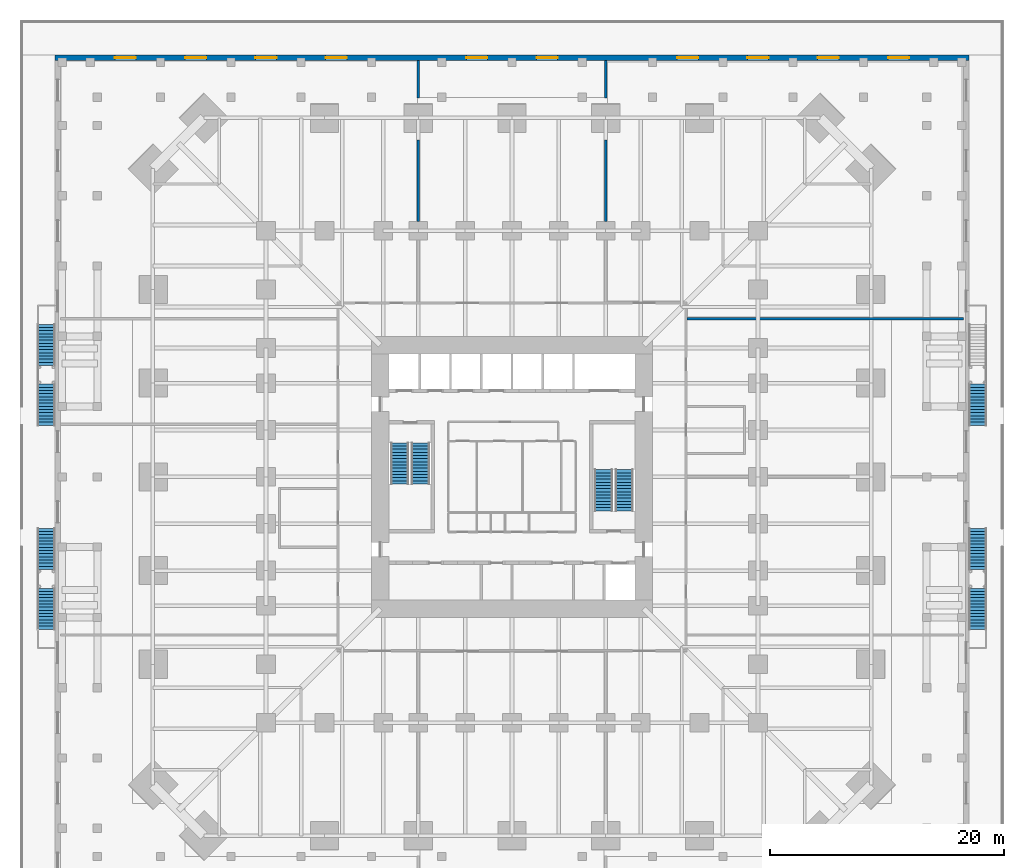
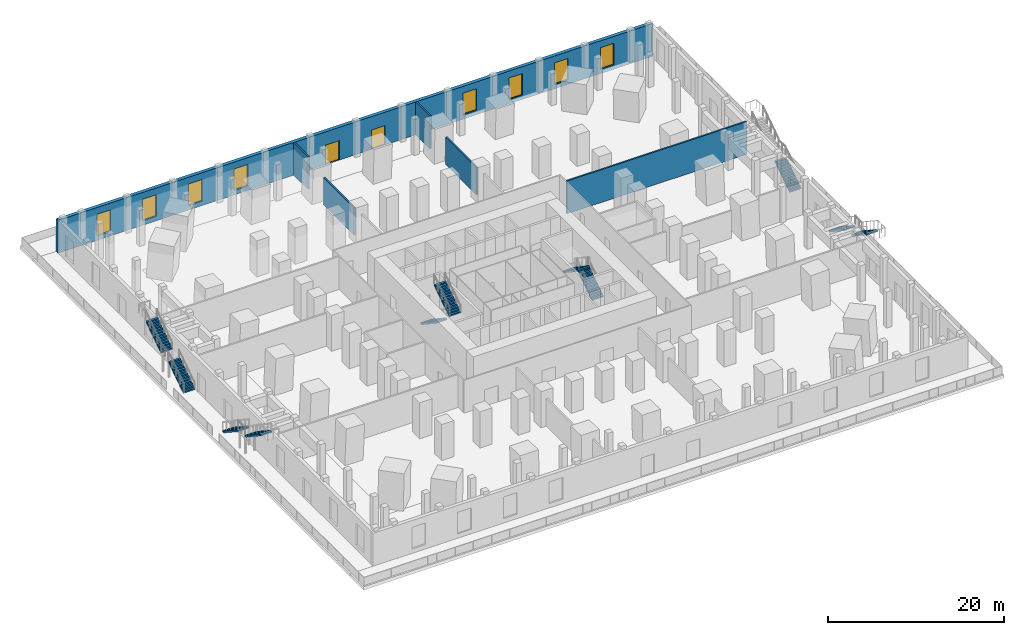
# One storey, part 15 of 22: 11 stair flights, 8 windows, 6 walls, 2 doors, 10 openings, 6 elements without a shape of their own.
"""IFC4 building model written with IfcOpenShell, lengths in metres."""

import ifcopenshell
import ifcopenshell.guid

model = None  # the IFC model being written
_history = None  # IfcOwnerHistory: only IFC2X3 demands one
_inside = {}  # id of a spatial element -> (the spatial element, [elements in it])
_under = {}  # id of a project, library or spatial element -> (it, [spatial elements below it])
_declared = {}  # id of a project -> (the project, [libraries it declares])
_typed = {}  # id of a type object -> (the type object, [elements of that type])
_made_of = {}  # id of a material, layer set ... -> (it, [elements and type objects made of it])


def new_model(schema):
    """Start an empty IFC model of exactly this schema.

    Asked for "IFC4X3", IfcOpenShell would pick the latest addendum, in which some entities
    have other attributes; the version numbers below select the first issue.
    IFC2X3 requires an IfcOwnerHistory on every rooted entity: one is made here for all.
    """
    global model, _history
    if schema == "IFC4X3":
        model = ifcopenshell.file(schema_version=(4, 3, 0, 0))
    else:
        model = ifcopenshell.file(schema=schema)
    _inside.clear()
    _under.clear()
    _declared.clear()
    _typed.clear()
    _made_of.clear()
    _history = None
    if model.schema == "IFC2X3":
        org = make("IfcOrganization", Name="unknown")
        user = make(
            "IfcPersonAndOrganization",
            ThePerson=make("IfcPerson", FamilyName="unknown"),
            TheOrganization=org,
        )
        app = make(
            "IfcApplication",
            ApplicationDeveloper=org,
            Version="unknown",
            ApplicationFullName="unknown",
            ApplicationIdentifier="unknown",
        )
        _history = make(
            "IfcOwnerHistory",
            OwningUser=user,
            OwningApplication=app,
            ChangeAction="ADDED",
            CreationDate=0,
        )
    return model


def make(cls, **values):
    """One entity of the class cls with the attributes given. An attribute that is None is left unset."""
    return model.create_entity(
        cls, **{name: value for name, value in values.items() if value is not None}
    )


def rooted(cls, **values):
    """An entity with a GlobalId (a new one), such as an element, a storey or a relation."""
    return make(cls, GlobalId=ifcopenshell.guid.new(), OwnerHistory=_history, **values)


def si_unit(unit_type, name, prefix=None):
    """IfcSIUnit, for example si_unit("LENGTHUNIT", "METRE", prefix="MILLI")."""
    return make("IfcSIUnit", UnitType=unit_type, Prefix=prefix, Name=name)


def assignment(units):
    """IfcUnitAssignment: the units of a project."""
    return None if units is None else make("IfcUnitAssignment", Units=units)


def point(xyz):
    """IfcCartesianPoint."""
    return None if xyz is None else make("IfcCartesianPoint", Coordinates=xyz)


def direction(xyz):
    """IfcDirection."""
    return None if xyz is None else make("IfcDirection", DirectionRatios=xyz)


def frame(location, z_axis=None, x_axis=None):
    """IfcAxis2Placement3D, a coordinate frame: its origin and axes. An axis left out is left unset."""
    return make(
        "IfcAxis2Placement3D",
        Location=point(location),
        Axis=direction(z_axis),
        RefDirection=direction(x_axis),
    )


def frame_2d(location, x_axis=None):
    """IfcAxis2Placement2D, a coordinate frame in the plane: its origin and x axis."""
    return make(
        "IfcAxis2Placement2D", Location=point(location), RefDirection=direction(x_axis)
    )


def origin():
    """The frame at (0, 0, 0) with its axes left unset."""
    return frame((0.0, 0.0, 0.0))


def place(relative_to, where):
    """IfcLocalPlacement: puts the frame where relative to a parent placement (None: the world)."""
    return make(
        "IfcLocalPlacement", PlacementRelTo=relative_to, RelativePlacement=where
    )


def context(
    kind, dimensions, precision=None, world=None, true_north=None, identifier=None
):
    """IfcGeometricRepresentationContext, for example the 3D "Model" context."""
    return make(
        "IfcGeometricRepresentationContext",
        ContextIdentifier=identifier,
        ContextType=kind,
        CoordinateSpaceDimension=dimensions,
        Precision=precision,
        WorldCoordinateSystem=world,
        TrueNorth=true_north,
    )


def subcontext(parent, identifier, kind, view, scale=None):
    """IfcGeometricRepresentationSubContext, for example "Body" below "Model"."""
    return make(
        "IfcGeometricRepresentationSubContext",
        ContextIdentifier=identifier,
        ContextType=kind,
        ParentContext=parent,
        TargetScale=scale,
        TargetView=view,
    )


def project(units=None, contexts=None):
    """IfcProject with its units and contexts."""
    return rooted(
        "IfcProject",
        Name="project",
        RepresentationContexts=contexts,
        UnitsInContext=assignment(units),
    )


def spatial(cls, under=None, at=None, **own):
    """A site, building, storey or space (cls), placed at a placement, below another one or the project."""
    s = rooted(cls, ObjectPlacement=at, **own)
    if under is not None:
        _under.setdefault(under.id(), (under, []))[1].append(s)
    return s


def polyline(points):
    """IfcPolyline through the points."""
    return make("IfcPolyline", Points=[point(p) for p in points])


def profile(cls, at=None, kind="AREA", **sizes):
    """A parametric profile (cls). Its sizes go by their IFC names, for example OverallWidth=200.0."""
    return make(cls, ProfileType=kind, Position=at, **sizes)


def rectangle(**sizes):
    """IfcRectangleProfileDef."""
    return profile("IfcRectangleProfileDef", **sizes)


def outline(outer, holes=None, kind="AREA"):
    """IfcArbitraryClosedProfileDef: a profile drawn as a closed curve; with holes, ...WithVoids."""
    if holes is None:
        return make("IfcArbitraryClosedProfileDef", ProfileType=kind, OuterCurve=outer)
    return make(
        "IfcArbitraryProfileDefWithVoids",
        ProfileType=kind,
        OuterCurve=outer,
        InnerCurves=holes,
    )


def extrude(swept, where, along, depth):
    """IfcExtrudedAreaSolid: the profile swept, set in the frame where, extruded along a direction by depth."""
    return make(
        "IfcExtrudedAreaSolid",
        SweptArea=swept,
        Position=where,
        ExtrudedDirection=direction(along),
        Depth=depth,
    )


def shape(context_of_items, identifier, shape_type, items):
    """IfcShapeRepresentation: the items that make up one representation, for example the "Body"."""
    return make(
        "IfcShapeRepresentation",
        ContextOfItems=context_of_items,
        RepresentationIdentifier=identifier,
        RepresentationType=shape_type,
        Items=items,
    )


def material(Name=None, Category=None):
    """IfcMaterial."""
    return make("IfcMaterial", Name=Name, Category=Category)


def layer(
    of_material, thickness, ventilated=None, Name=None, Category=None, Priority=None
):
    """IfcMaterialLayer: one layer of a wall or slab, of a material (None: an air gap)."""
    return make(
        "IfcMaterialLayer",
        Material=of_material,
        LayerThickness=thickness,
        IsVentilated=ventilated,
        Name=Name,
        Category=Category,
        Priority=Priority,
    )


def layer_set(layers, Name=None):
    """IfcMaterialLayerSet."""
    return make("IfcMaterialLayerSet", MaterialLayers=layers, LayerSetName=Name)


def made_of(thing, what):
    """Note that an element or type object is made of a material, layer set ...; save() writes the relation."""
    if what is not None:
        _made_of.setdefault(what.id(), (what, []))[1].append(thing)
    return thing


def type_object(cls, material=None, **own):
    """A type object (cls), such as IfcWallType, which elements share."""
    return made_of(rooted(cls, **own), material)


def element(
    cls,
    number,
    at=None,
    inside=None,
    cuts=None,
    type_object=None,
    material=None,
    context=None,
    identifier="Body",
    shape_type=None,
    held_by="IfcProductDefinitionShape",
    body=None,
    shapes=None,
    **own,
):
    """One element of the class cls, such as IfcWall. Its Tag is "e" and its number.

    at: its placement. inside: the storey or other place that contains it. cuts: it is an
    opening in that element (IfcRelVoidsElement). A single representation is given by context,
    identifier, shape_type and body (its items); several are given by shapes. held_by: the class
    of the entity that holds the representations. save() writes the other relations.
    """
    e = rooted(cls, Tag="e%d" % number, ObjectPlacement=at, **own)
    if body is not None:
        shapes = [shape(context, identifier, shape_type, body)]
    if shapes is not None:
        e.Representation = make(held_by, Representations=shapes)
    if inside is not None:
        _inside.setdefault(inside.id(), (inside, []))[1].append(e)
    if cuts is not None:
        rooted(
            "IfcRelVoidsElement", RelatingBuildingElement=cuts, RelatedOpeningElement=e
        )
    if type_object is not None:
        _typed.setdefault(type_object.id(), (type_object, []))[1].append(e)
    return made_of(e, material)


def fill(opening, filler):
    """IfcRelFillsElement: the door or window that sits in an opening."""
    return rooted(
        "IfcRelFillsElement",
        RelatingOpeningElement=opening,
        RelatedBuildingElement=filler,
    )


def aggregate(whole, parts):
    """IfcRelAggregates: a whole, such as a stair, and the parts it consists of."""
    return rooted("IfcRelAggregates", RelatingObject=whole, RelatedObjects=parts)


def save(model, path):
    """Write the relations noted so far, then the file.

    IfcRelAggregates (storeys below a building ...), IfcRelContainedInSpatialStructure (elements
    in a storey), IfcRelDefinesByType, IfcRelAssociatesMaterial and IfcRelDeclares: one each for
    every whole, place, type object, material and project.
    """
    for whole, parts in _under.values():
        aggregate(whole, parts)
    for where, things in _inside.values():
        rooted(
            "IfcRelContainedInSpatialStructure",
            RelatedElements=things,
            RelatingStructure=where,
        )
    for kind, things in _typed.values():
        rooted("IfcRelDefinesByType", RelatedObjects=things, RelatingType=kind)
    for what, things in _made_of.values():
        rooted("IfcRelAssociatesMaterial", RelatedObjects=things, RelatingMaterial=what)
    for by, libraries in _declared.values():
        rooted("IfcRelDeclares", RelatingContext=by, RelatedDefinitions=libraries)
    model.write(path)


model = new_model("IFC4")

# Units and contexts
model_context = context("Model", 3, precision=1e-05, world=origin(), true_north=direction((0.0, 1.0)))
body_context = subcontext(model_context, "Body", "Model", "MODEL_VIEW")
ifc_project = project(units=[si_unit("LENGTHUNIT", "METRE"), si_unit("AREAUNIT", "SQUARE_METRE"), si_unit("VOLUMEUNIT", "CUBIC_METRE"), si_unit("PLANEANGLEUNIT", "RADIAN"), si_unit("MASSUNIT", "GRAM", prefix="KILO")], contexts=[model_context])

# Site, building, storey
site_placement = place(None, origin())
site = spatial("IfcSite", under=ifc_project, at=site_placement, CompositionType="ELEMENT")
building_placement = place(site_placement, origin())
building = spatial("IfcBuilding", under=site, at=building_placement, Name="Peilmerk Tower", CompositionType="ELEMENT")
storey_placement = place(building_placement, frame((0.0, 0.0, 6.0)))
storey = spatial("IfcBuildingStorey", under=building, at=storey_placement, Name="L01", CompositionType="ELEMENT", Elevation=6.0)

# Wall, openings, doors, windows
ifc_material_1 = material(Name="Precast concrete C45/55, board-marked finish", Category="concrete")
ifc_layer_1 = layer(ifc_material_1, 0.449951171875)
ifc_layer_set_1 = layer_set([ifc_layer_1], Name="Precast concrete C45/55, board-marked finish")
wall_type_1 = type_object("IfcWallType", Name="EW1 450 precast concrete facade wall, board-marked", PredefinedType="SOLIDWALL", material=ifc_layer_set_1)
wall_1_placement = place(storey_placement, frame((-39.0, 35.77490234375, 0.0), z_axis=(0.0, 0.0, 1.0), x_axis=(1.0, 0.0, 0.0)))
wall_1 = element("IfcWall", 1, at=wall_1_placement, inside=storey, type_object=wall_type_1, Name="Facade wall N L01", PredefinedType="SOLIDWALL", context=body_context, shape_type="SweptSolid", body=[
    extrude(rectangle(XDim=78.0, YDim=0.449951171875, at=frame_2d((39.0, 0.0))), origin(), (0.0, 0.0, 1.0), 4.550048828125),
])
opening_1_placement = place(wall_1_placement, frame((5.10009765625, 0.0, 0.60009765625)))
opening_1 = element("IfcOpeningElement", 2, at=opening_1_placement, cuts=wall_1, Name="Opening W7", PredefinedType="OPENING", context=body_context, shape_type="SweptSolid", body=[
    extrude(rectangle(XDim=1.800048828125, YDim=3.0, at=frame_2d((0.89990234375, 1.5))), frame((0.0, 0.23486328125, 0.0), z_axis=(0.0, -1.0, 0.0), x_axis=(1.0, 0.0, 0.0)), (0.0, 0.0, 1.0), 0.469970703125),
])
opening_2_placement = place(wall_1_placement, frame((11.10009765625, 0.0, 0.60009765625)))
opening_2 = element("IfcOpeningElement", 3, at=opening_2_placement, cuts=wall_1, Name="Opening W7", PredefinedType="OPENING", context=body_context, shape_type="SweptSolid", body=[
    extrude(rectangle(XDim=1.800048828125, YDim=3.0, at=frame_2d((0.89990234375, 1.5))), frame((0.0, 0.23486328125, 0.0), z_axis=(0.0, -1.0, 0.0), x_axis=(1.0, 0.0, 0.0)), (0.0, 0.0, 1.0), 0.469970703125),
])
opening_3_placement = place(wall_1_placement, frame((17.10009765625, 0.0, 0.60009765625)))
opening_3 = element("IfcOpeningElement", 4, at=opening_3_placement, cuts=wall_1, Name="Opening W7", PredefinedType="OPENING", context=body_context, shape_type="SweptSolid", body=[
    extrude(rectangle(XDim=1.800048828125, YDim=3.0, at=frame_2d((0.89990234375, 1.5))), frame((0.0, 0.23486328125, 0.0), z_axis=(0.0, -1.0, 0.0), x_axis=(1.0, 0.0, 0.0)), (0.0, 0.0, 1.0), 0.469970703125),
])
opening_4_placement = place(wall_1_placement, frame((23.10009765625, 0.0, 0.60009765625)))
opening_4 = element("IfcOpeningElement", 5, at=opening_4_placement, cuts=wall_1, Name="Opening W7", PredefinedType="OPENING", context=body_context, shape_type="SweptSolid", body=[
    extrude(rectangle(XDim=1.800048828125, YDim=3.0, at=frame_2d((0.89990234375, 1.5))), frame((0.0, 0.23486328125, 0.0), z_axis=(0.0, -1.0, 0.0), x_axis=(1.0, 0.0, 0.0)), (0.0, 0.0, 1.0), 0.469970703125),
])
opening_5_placement = place(wall_1_placement, frame((53.10009765625, 0.0, 0.60009765625)))
opening_5 = element("IfcOpeningElement", 6, at=opening_5_placement, cuts=wall_1, Name="Opening W7", PredefinedType="OPENING", context=body_context, shape_type="SweptSolid", body=[
    extrude(rectangle(XDim=1.800048828125, YDim=3.0, at=frame_2d((0.89990234375, 1.5))), frame((0.0, 0.23486328125, 0.0), z_axis=(0.0, -1.0, 0.0), x_axis=(1.0, 0.0, 0.0)), (0.0, 0.0, 1.0), 0.469970703125),
])
opening_6_placement = place(wall_1_placement, frame((59.10009765625, 0.0, 0.60009765625)))
opening_6 = element("IfcOpeningElement", 7, at=opening_6_placement, cuts=wall_1, Name="Opening W7", PredefinedType="OPENING", context=body_context, shape_type="SweptSolid", body=[
    extrude(rectangle(XDim=1.800048828125, YDim=3.0, at=frame_2d((0.89990234375, 1.5))), frame((0.0, 0.23486328125, 0.0), z_axis=(0.0, -1.0, 0.0), x_axis=(1.0, 0.0, 0.0)), (0.0, 0.0, 1.0), 0.469970703125),
])
opening_7_placement = place(wall_1_placement, frame((65.10009765625, 0.0, 0.60009765625)))
opening_7 = element("IfcOpeningElement", 8, at=opening_7_placement, cuts=wall_1, Name="Opening W7", PredefinedType="OPENING", context=body_context, shape_type="SweptSolid", body=[
    extrude(rectangle(XDim=1.800048828125, YDim=3.0, at=frame_2d((0.89990234375, 1.5))), frame((0.0, 0.23486328125, 0.0), z_axis=(0.0, -1.0, 0.0), x_axis=(1.0, 0.0, 0.0)), (0.0, 0.0, 1.0), 0.469970703125),
])
opening_8_placement = place(wall_1_placement, frame((71.10009765625, 0.0, 0.60009765625)))
opening_8 = element("IfcOpeningElement", 9, at=opening_8_placement, cuts=wall_1, Name="Opening W7", PredefinedType="OPENING", context=body_context, shape_type="SweptSolid", body=[
    extrude(rectangle(XDim=1.800048828125, YDim=3.0, at=frame_2d((0.89990234375, 1.5))), frame((0.0, 0.23486328125, 0.0), z_axis=(0.0, -1.0, 0.0), x_axis=(1.0, 0.0, 0.0)), (0.0, 0.0, 1.0), 0.469970703125),
])
opening_9_placement = place(wall_1_placement, frame((35.10009765625, 0.0, 0.0)))
opening_9 = element("IfcOpeningElement", 10, at=opening_9_placement, cuts=wall_1, Name="Opening ED4", PredefinedType="OPENING", context=body_context, shape_type="SweptSolid", body=[
    extrude(rectangle(XDim=1.800048828125, YDim=2.699951171875, at=frame_2d((0.89990234375, 1.35009765625))), frame((0.0, 0.23486328125, 0.0), z_axis=(0.0, -1.0, 0.0), x_axis=(1.0, 0.0, 0.0)), (0.0, 0.0, 1.0), 0.469970703125),
])
opening_10_placement = place(wall_1_placement, frame((41.10009765625, 0.0, 0.0)))
opening_10 = element("IfcOpeningElement", 11, at=opening_10_placement, cuts=wall_1, Name="Opening ED4", PredefinedType="OPENING", context=body_context, shape_type="SweptSolid", body=[
    extrude(rectangle(XDim=1.800048828125, YDim=2.699951171875, at=frame_2d((0.89990234375, 1.35009765625))), frame((0.0, 0.23486328125, 0.0), z_axis=(0.0, -1.0, 0.0), x_axis=(1.0, 0.0, 0.0)), (0.0, 0.0, 1.0), 0.469970703125),
])
ifc_material_2 = material(Name="Aluminium frame, clear glazing", Category="aluminium")
door_type = type_object("IfcDoorType", Name="ED4 1800x2700 terrace door pair, glazed", OperationType="DOUBLE_DOOR_DOUBLE_SWING", PredefinedType="DOOR", material=ifc_material_2)
door_1_placement = place(opening_9_placement, origin())
door_1 = element("IfcDoor", 12, at=door_1_placement, inside=storey, type_object=door_type, Name="Terrace door pair, glazed L01", OperationType="DOUBLE_DOOR_DOUBLE_SWING", OverallHeight=2.699951171875, OverallWidth=1.800048828125, PredefinedType="DOOR", context=body_context, shape_type="SweptSolid", body=[
    extrude(rectangle(XDim=1.800048828125, YDim=2.699951171875, at=frame_2d((0.89990234375, 1.35009765625))), frame((0.0, 0.02490234375, 0.0), z_axis=(0.0, -1.0, 0.0), x_axis=(1.0, 0.0, 0.0)), (0.0, 0.0, 1.0), 0.050048828125),
])
fill(opening_9, door_1)
door_2_placement = place(opening_10_placement, origin())
door_2 = element("IfcDoor", 13, at=door_2_placement, inside=storey, type_object=door_type, Name="Terrace door pair, glazed L01", OperationType="DOUBLE_DOOR_DOUBLE_SWING", OverallHeight=2.699951171875, OverallWidth=1.800048828125, PredefinedType="DOOR", context=body_context, shape_type="SweptSolid", body=[
    extrude(rectangle(XDim=1.800048828125, YDim=2.699951171875, at=frame_2d((0.89990234375, 1.35009765625))), frame((0.0, 0.02490234375, 0.0), z_axis=(0.0, -1.0, 0.0), x_axis=(1.0, 0.0, 0.0)), (0.0, 0.0, 1.0), 0.050048828125),
])
fill(opening_10, door_2)
ifc_material_3 = material(Name="Aluminium frame, clear double glazing", Category="aluminium")
window_type = type_object("IfcWindowType", Name="W7 1800x3000 podium window", PartitioningType="SINGLE_PANEL", PredefinedType="WINDOW", material=ifc_material_3)
window_1_placement = place(opening_1_placement, origin())
window_1 = element("IfcWindow", 14, at=window_1_placement, inside=storey, type_object=window_type, Name="Window W7 L01", OverallHeight=3.0, OverallWidth=1.800048828125, PartitioningType="SINGLE_PANEL", PredefinedType="WINDOW", context=body_context, shape_type="SweptSolid", body=[
    extrude(rectangle(XDim=1.800048828125, YDim=3.0, at=frame_2d((0.89990234375, 1.5))), frame((0.0, 0.030029296875, 0.0), z_axis=(0.0, -1.0, 0.0), x_axis=(1.0, 0.0, 0.0)), (0.0, 0.0, 1.0), 0.06005859375),
])
fill(opening_1, window_1)
window_2_placement = place(opening_2_placement, origin())
window_2 = element("IfcWindow", 15, at=window_2_placement, inside=storey, type_object=window_type, Name="Window W7 L01", OverallHeight=3.0, OverallWidth=1.800048828125, PartitioningType="SINGLE_PANEL", PredefinedType="WINDOW", context=body_context, shape_type="SweptSolid", body=[
    extrude(rectangle(XDim=1.800048828125, YDim=3.0, at=frame_2d((0.89990234375, 1.5))), frame((0.0, 0.030029296875, 0.0), z_axis=(0.0, -1.0, 0.0), x_axis=(1.0, 0.0, 0.0)), (0.0, 0.0, 1.0), 0.06005859375),
])
fill(opening_2, window_2)
window_3_placement = place(opening_3_placement, origin())
window_3 = element("IfcWindow", 16, at=window_3_placement, inside=storey, type_object=window_type, Name="Window W7 L01", OverallHeight=3.0, OverallWidth=1.800048828125, PartitioningType="SINGLE_PANEL", PredefinedType="WINDOW", context=body_context, shape_type="SweptSolid", body=[
    extrude(rectangle(XDim=1.800048828125, YDim=3.0, at=frame_2d((0.89990234375, 1.5))), frame((0.0, 0.030029296875, 0.0), z_axis=(0.0, -1.0, 0.0), x_axis=(1.0, 0.0, 0.0)), (0.0, 0.0, 1.0), 0.06005859375),
])
fill(opening_3, window_3)
window_4_placement = place(opening_4_placement, origin())
window_4 = element("IfcWindow", 17, at=window_4_placement, inside=storey, type_object=window_type, Name="Window W7 L01", OverallHeight=3.0, OverallWidth=1.800048828125, PartitioningType="SINGLE_PANEL", PredefinedType="WINDOW", context=body_context, shape_type="SweptSolid", body=[
    extrude(rectangle(XDim=1.800048828125, YDim=3.0, at=frame_2d((0.89990234375, 1.5))), frame((0.0, 0.030029296875, 0.0), z_axis=(0.0, -1.0, 0.0), x_axis=(1.0, 0.0, 0.0)), (0.0, 0.0, 1.0), 0.06005859375),
])
fill(opening_4, window_4)
window_5_placement = place(opening_5_placement, origin())
window_5 = element("IfcWindow", 18, at=window_5_placement, inside=storey, type_object=window_type, Name="Window W7 L01", OverallHeight=3.0, OverallWidth=1.800048828125, PartitioningType="SINGLE_PANEL", PredefinedType="WINDOW", context=body_context, shape_type="SweptSolid", body=[
    extrude(rectangle(XDim=1.800048828125, YDim=3.0, at=frame_2d((0.89990234375, 1.5))), frame((0.0, 0.030029296875, 0.0), z_axis=(0.0, -1.0, 0.0), x_axis=(1.0, 0.0, 0.0)), (0.0, 0.0, 1.0), 0.06005859375),
])
fill(opening_5, window_5)
window_6_placement = place(opening_6_placement, origin())
window_6 = element("IfcWindow", 19, at=window_6_placement, inside=storey, type_object=window_type, Name="Window W7 L01", OverallHeight=3.0, OverallWidth=1.800048828125, PartitioningType="SINGLE_PANEL", PredefinedType="WINDOW", context=body_context, shape_type="SweptSolid", body=[
    extrude(rectangle(XDim=1.800048828125, YDim=3.0, at=frame_2d((0.89990234375, 1.5))), frame((0.0, 0.030029296875, 0.0), z_axis=(0.0, -1.0, 0.0), x_axis=(1.0, 0.0, 0.0)), (0.0, 0.0, 1.0), 0.06005859375),
])
fill(opening_6, window_6)
window_7_placement = place(opening_7_placement, origin())
window_7 = element("IfcWindow", 20, at=window_7_placement, inside=storey, type_object=window_type, Name="Window W7 L01", OverallHeight=3.0, OverallWidth=1.800048828125, PartitioningType="SINGLE_PANEL", PredefinedType="WINDOW", context=body_context, shape_type="SweptSolid", body=[
    extrude(rectangle(XDim=1.800048828125, YDim=3.0, at=frame_2d((0.89990234375, 1.5))), frame((0.0, 0.030029296875, 0.0), z_axis=(0.0, -1.0, 0.0), x_axis=(1.0, 0.0, 0.0)), (0.0, 0.0, 1.0), 0.06005859375),
])
fill(opening_7, window_7)
window_8_placement = place(opening_8_placement, origin())
window_8 = element("IfcWindow", 21, at=window_8_placement, inside=storey, type_object=window_type, Name="Window W7 L01", OverallHeight=3.0, OverallWidth=1.800048828125, PartitioningType="SINGLE_PANEL", PredefinedType="WINDOW", context=body_context, shape_type="SweptSolid", body=[
    extrude(rectangle(XDim=1.800048828125, YDim=3.0, at=frame_2d((0.89990234375, 1.5))), frame((0.0, 0.030029296875, 0.0), z_axis=(0.0, -1.0, 0.0), x_axis=(1.0, 0.0, 0.0)), (0.0, 0.0, 1.0), 0.06005859375),
])
fill(opening_8, window_8)

# Walls
ifc_material_4 = material(Name="Calcium silicate block", Category="masonry")
ifc_layer_2 = layer(ifc_material_4, 0.199951171875)
ifc_layer_set_2 = layer_set([ifc_layer_2], Name="Calcium silicate block")
wall_type_2 = type_object("IfcWallType", Name="IW2 200 room separating wall, EI 120", PredefinedType="PARTITIONING", material=ifc_layer_set_2)
wall_2_placement = place(storey_placement, frame((14.925048828125, 13.5, 0.0), z_axis=(0.0, 0.0, 1.0), x_axis=(1.0, 0.0, 0.0)))
element("IfcWall", 22, at=wall_2_placement, inside=storey, type_object=wall_type_2, Name="Room separating wall NE L01", PredefinedType="PARTITIONING", context=body_context, shape_type="SweptSolid", body=[
    extrude(rectangle(XDim=23.625, YDim=0.199951171875, at=frame_2d((11.8125, 0.0))), origin(), (0.0, 0.0, 1.0), 4.550048828125),
])
wall_3_placement = place(storey_placement, frame((-8.0, 21.800048828125, 0.0), z_axis=(0.0, 0.0, 1.0), x_axis=(0.0, 1.0, 0.0)))
element("IfcWall", 23, at=wall_3_placement, inside=storey, type_object=wall_type_2, Name="Room separating wall N1b L01", PredefinedType="PARTITIONING", context=body_context, shape_type="SweptSolid", body=[
    extrude(rectangle(XDim=6.9560546875, YDim=0.199951171875, at=frame_2d((3.47802734375, 0.0))), origin(), (0.0, 0.0, 1.0), 3.81005859375),
])
wall_4_placement = place(storey_placement, frame((-8.0, 32.351806640625, 0.0), z_axis=(0.0, 0.0, 1.0), x_axis=(0.0, 1.0, 0.0)))
element("IfcWall", 24, at=wall_4_placement, inside=storey, type_object=wall_type_2, Name="Room separating wall N1c L01", PredefinedType="PARTITIONING", context=body_context, shape_type="SweptSolid", body=[
    extrude(rectangle(XDim=3.1982421875, YDim=0.199951171875, at=frame_2d((1.59912109375, 0.0))), origin(), (0.0, 0.0, 1.0), 4.550048828125),
])
wall_5_placement = place(storey_placement, frame((8.0, 21.800048828125, 0.0), z_axis=(0.0, 0.0, 1.0), x_axis=(0.0, 1.0, 0.0)))
element("IfcWall", 25, at=wall_5_placement, inside=storey, type_object=wall_type_2, Name="Room separating wall N2b L01", PredefinedType="PARTITIONING", context=body_context, shape_type="SweptSolid", body=[
    extrude(rectangle(XDim=6.9560546875, YDim=0.199951171875, at=frame_2d((3.47802734375, 0.0))), origin(), (0.0, 0.0, 1.0), 3.81005859375),
])
wall_6_placement = place(storey_placement, frame((8.0, 32.351806640625, 0.0), z_axis=(0.0, 0.0, 1.0), x_axis=(0.0, 1.0, 0.0)))
element("IfcWall", 26, at=wall_6_placement, inside=storey, type_object=wall_type_2, Name="Room separating wall N2c L01", PredefinedType="PARTITIONING", context=body_context, shape_type="SweptSolid", body=[
    extrude(rectangle(XDim=3.1982421875, YDim=0.199951171875, at=frame_2d((1.59912109375, 0.0))), origin(), (0.0, 0.0, 1.0), 4.550048828125),
])

# Stair, stair flights
ifc_material_5 = material(Name="Precast concrete C45/55", Category="concrete")
stair_type_1 = type_object("IfcStairType", Name="ST1 28 risers of 178.6", PredefinedType="HALF_TURN_STAIR", material=ifc_material_5)
stair_1_placement = place(storey_placement, origin())
stair_1 = element("IfcStair", 27, at=stair_1_placement, inside=storey, type_object=stair_type_1, Name="Stair 1 L01 to L02", PredefinedType="HALF_TURN_STAIR")
stair_flight_type = type_object("IfcStairFlightType", Name="SF14 flight, 14 risers of 178.6", PredefinedType="STRAIGHT", material=ifc_material_5)
stair_flight_1_placement = place(storey_placement, frame((-9.60009765625, 2.89990234375, 0.0), z_axis=(0.0, 0.0, 1.0), x_axis=(0.0, -1.0, 0.0)))
stair_flight_1 = element("IfcStairFlight", 28, at=stair_flight_1_placement, type_object=stair_flight_type, Name="ST1 flight 1", NumberOfRisers=14, NumberOfTreads=13, PredefinedType="STRAIGHT", RiserHeight=0.178571429, TreadLength=0.27, context=body_context, shape_type="SweptSolid", body=[
    extrude(outline(polyline([(0.0, 0.0), (0.0, 0.178466796875), (0.27001953125, 0.178466796875), (0.27001953125, 0.357177734375), (0.5400390625, 0.357177734375), (0.5400390625, 0.53564453125), (0.81005859375, 0.53564453125), (0.81005859375, 0.71435546875), (1.080078125, 0.71435546875), (1.080078125, 0.892822265625), (1.35009765625, 0.892822265625), (1.35009765625, 1.071533203125), (1.6201171875, 1.071533203125), (1.6201171875, 1.25), (1.889892578125, 1.25), (1.889892578125, 1.428466796875), (2.159912109375, 1.428466796875), (2.159912109375, 1.607177734375), (2.429931640625, 1.607177734375), (2.429931640625, 1.78564453125), (2.699951171875, 1.78564453125), (2.699951171875, 1.96435546875), (2.969970703125, 1.96435546875), (2.969970703125, 2.142822265625), (3.239990234375, 2.142822265625), (3.239990234375, 2.321533203125), (3.510009765625, 2.321533203125), (3.510009765625, 2.5), (3.510009765625, 2.1416015625), (0.271728515625, 0.0), (0.0, 0.0)])), frame((0.0, 0.75, 0.0), z_axis=(0.0, -1.0, 0.0), x_axis=(1.0, 0.0, 0.0)), (0.0, 0.0, 1.0), 1.5),
])
stair_flight_2_placement = place(storey_placement, frame((-7.800048828125, -0.610107421875, 2.5), z_axis=(0.0, 0.0, 1.0), x_axis=(0.0, 1.0, 0.0)))
stair_flight_2 = element("IfcStairFlight", 29, at=stair_flight_2_placement, type_object=stair_flight_type, Name="ST1 flight 2", NumberOfRisers=14, NumberOfTreads=13, PredefinedType="STRAIGHT", RiserHeight=0.178571429, TreadLength=0.27, context=body_context, shape_type="SweptSolid", body=[
    extrude(outline(polyline([(0.0, 0.0), (0.0, 0.178466796875), (0.27001953125, 0.178466796875), (0.27001953125, 0.357177734375), (0.5400390625, 0.357177734375), (0.5400390625, 0.53564453125), (0.81005859375, 0.53564453125), (0.81005859375, 0.71435546875), (1.080078125, 0.71435546875), (1.080078125, 0.892822265625), (1.35009765625, 0.892822265625), (1.35009765625, 1.071533203125), (1.6201171875, 1.071533203125), (1.6201171875, 1.25), (1.889892578125, 1.25), (1.889892578125, 1.428466796875), (2.159912109375, 1.428466796875), (2.159912109375, 1.607177734375), (2.429931640625, 1.607177734375), (2.429931640625, 1.78564453125), (2.699951171875, 1.78564453125), (2.699951171875, 1.96435546875), (2.969970703125, 1.96435546875), (2.969970703125, 2.142822265625), (3.239990234375, 2.142822265625), (3.239990234375, 2.321533203125), (3.510009765625, 2.321533203125), (3.510009765625, 2.5), (3.510009765625, 2.1416015625), (0.271728515625, 0.0), (0.0, 0.0)])), frame((0.0, 0.75, 0.0), z_axis=(0.0, -1.0, 0.0), x_axis=(1.0, 0.0, 0.0)), (0.0, 0.0, 1.0), 1.5),
])
aggregate(stair_1, [stair_flight_1, stair_flight_2])

stair_type_2 = type_object("IfcStairType", Name="ST2 28 risers of 178.6", PredefinedType="HALF_TURN_STAIR", material=ifc_material_5)
stair_2_placement = place(storey_placement, origin())
stair_2 = element("IfcStair", 30, at=stair_2_placement, inside=storey, type_object=stair_type_2, Name="Stair 2 L01 to L02", PredefinedType="HALF_TURN_STAIR")
stair_flight_3_placement = place(storey_placement, frame((9.60009765625, -2.89990234375, 0.0), z_axis=(0.0, 0.0, 1.0), x_axis=(0.0, 1.0, 0.0)))
stair_flight_3 = element("IfcStairFlight", 31, at=stair_flight_3_placement, type_object=stair_flight_type, Name="ST2 flight 1", NumberOfRisers=14, NumberOfTreads=13, PredefinedType="STRAIGHT", RiserHeight=0.178571429, TreadLength=0.27, context=body_context, shape_type="SweptSolid", body=[
    extrude(outline(polyline([(0.0, 0.0), (0.0, 0.178466796875), (0.27001953125, 0.178466796875), (0.27001953125, 0.357177734375), (0.5400390625, 0.357177734375), (0.5400390625, 0.53564453125), (0.81005859375, 0.53564453125), (0.81005859375, 0.71435546875), (1.080078125, 0.71435546875), (1.080078125, 0.892822265625), (1.35009765625, 0.892822265625), (1.35009765625, 1.071533203125), (1.6201171875, 1.071533203125), (1.6201171875, 1.25), (1.889892578125, 1.25), (1.889892578125, 1.428466796875), (2.159912109375, 1.428466796875), (2.159912109375, 1.607177734375), (2.429931640625, 1.607177734375), (2.429931640625, 1.78564453125), (2.699951171875, 1.78564453125), (2.699951171875, 1.96435546875), (2.969970703125, 1.96435546875), (2.969970703125, 2.142822265625), (3.239990234375, 2.142822265625), (3.239990234375, 2.321533203125), (3.510009765625, 2.321533203125), (3.510009765625, 2.5), (3.510009765625, 2.1416015625), (0.271728515625, 0.0), (0.0, 0.0)])), frame((0.0, 0.75, 0.0), z_axis=(0.0, -1.0, 0.0), x_axis=(1.0, 0.0, 0.0)), (0.0, 0.0, 1.0), 1.5),
])
stair_flight_4_placement = place(storey_placement, frame((7.800048828125, 0.610107421875, 2.5), z_axis=(0.0, 0.0, 1.0), x_axis=(0.0, -1.0, 0.0)))
stair_flight_4 = element("IfcStairFlight", 32, at=stair_flight_4_placement, type_object=stair_flight_type, Name="ST2 flight 2", NumberOfRisers=14, NumberOfTreads=13, PredefinedType="STRAIGHT", RiserHeight=0.178571429, TreadLength=0.27, context=body_context, shape_type="SweptSolid", body=[
    extrude(outline(polyline([(0.0, 0.0), (0.0, 0.178466796875), (0.27001953125, 0.178466796875), (0.27001953125, 0.357177734375), (0.5400390625, 0.357177734375), (0.5400390625, 0.53564453125), (0.81005859375, 0.53564453125), (0.81005859375, 0.71435546875), (1.080078125, 0.71435546875), (1.080078125, 0.892822265625), (1.35009765625, 0.892822265625), (1.35009765625, 1.071533203125), (1.6201171875, 1.071533203125), (1.6201171875, 1.25), (1.889892578125, 1.25), (1.889892578125, 1.428466796875), (2.159912109375, 1.428466796875), (2.159912109375, 1.607177734375), (2.429931640625, 1.607177734375), (2.429931640625, 1.78564453125), (2.699951171875, 1.78564453125), (2.699951171875, 1.96435546875), (2.969970703125, 1.96435546875), (2.969970703125, 2.142822265625), (3.239990234375, 2.142822265625), (3.239990234375, 2.321533203125), (3.510009765625, 2.321533203125), (3.510009765625, 2.5), (3.510009765625, 2.1416015625), (0.271728515625, 0.0), (0.0, 0.0)])), frame((0.0, 0.75, 0.0), z_axis=(0.0, -1.0, 0.0), x_axis=(1.0, 0.0, 0.0)), (0.0, 0.0, 1.0), 1.5),
])
aggregate(stair_2, [stair_flight_3, stair_flight_4])

# Stair, stair flight
stair_type_3 = type_object("IfcStairType", Name="ST3 28 risers of 178.6, two straight flights", PredefinedType="TWO_STRAIGHT_RUN_STAIR", material=ifc_material_5)
stair_3_placement = place(storey_placement, origin())
stair_3 = element("IfcStair", 33, at=stair_3_placement, inside=storey, type_object=stair_type_3, Name="External stair 3 L01 to L02", PredefinedType="TWO_STRAIGHT_RUN_STAIR")
stair_flight_5_placement = place(storey_placement, frame((39.75, 4.39990234375, 0.0), z_axis=(0.0, 0.0, 1.0), x_axis=(0.0, 1.0, 0.0)))
stair_flight_5 = element("IfcStairFlight", 34, at=stair_flight_5_placement, type_object=stair_flight_type, Name="ST3 flight 1", NumberOfRisers=14, NumberOfTreads=13, PredefinedType="STRAIGHT", RiserHeight=0.178571429, TreadLength=0.27, context=body_context, shape_type="SweptSolid", body=[
    extrude(outline(polyline([(0.0, 0.0), (0.0, 0.178466796875), (0.27001953125, 0.178466796875), (0.27001953125, 0.357177734375), (0.5400390625, 0.357177734375), (0.5400390625, 0.53564453125), (0.81005859375, 0.53564453125), (0.81005859375, 0.71435546875), (1.080078125, 0.71435546875), (1.080078125, 0.892822265625), (1.35009765625, 0.892822265625), (1.35009765625, 1.071533203125), (1.6201171875, 1.071533203125), (1.6201171875, 1.25), (1.889892578125, 1.25), (1.889892578125, 1.428466796875), (2.159912109375, 1.428466796875), (2.159912109375, 1.607177734375), (2.429931640625, 1.607177734375), (2.429931640625, 1.78564453125), (2.699951171875, 1.78564453125), (2.699951171875, 1.96435546875), (2.969970703125, 1.96435546875), (2.969970703125, 2.142822265625), (3.239990234375, 2.142822265625), (3.239990234375, 2.321533203125), (3.510009765625, 2.321533203125), (3.510009765625, 2.5), (3.510009765625, 2.1416015625), (0.271728515625, 0.0), (0.0, 0.0)])), frame((0.0, 0.75, 0.0), z_axis=(0.0, -1.0, 0.0), x_axis=(1.0, 0.0, 0.0)), (0.0, 0.0, 1.0), 1.5),
])
aggregate(stair_3, [stair_flight_5])

# Stair, stair flights
stair_type_4 = type_object("IfcStairType", Name="ST4 28 risers of 178.6, two straight flights", PredefinedType="TWO_STRAIGHT_RUN_STAIR", material=ifc_material_5)
stair_4_placement = place(storey_placement, origin())
stair_4 = element("IfcStair", 35, at=stair_4_placement, inside=storey, type_object=stair_type_4, Name="External stair 4 L01 to L02", PredefinedType="TWO_STRAIGHT_RUN_STAIR")
stair_flight_6_placement = place(storey_placement, frame((39.75, -4.39990234375, 0.0), z_axis=(0.0, 0.0, 1.0), x_axis=(0.0, -1.0, 0.0)))
stair_flight_6 = element("IfcStairFlight", 36, at=stair_flight_6_placement, type_object=stair_flight_type, Name="ST4 flight 1", NumberOfRisers=14, NumberOfTreads=13, PredefinedType="STRAIGHT", RiserHeight=0.178571429, TreadLength=0.27, context=body_context, shape_type="SweptSolid", body=[
    extrude(outline(polyline([(0.0, 0.0), (0.0, 0.178466796875), (0.27001953125, 0.178466796875), (0.27001953125, 0.357177734375), (0.5400390625, 0.357177734375), (0.5400390625, 0.53564453125), (0.81005859375, 0.53564453125), (0.81005859375, 0.71435546875), (1.080078125, 0.71435546875), (1.080078125, 0.892822265625), (1.35009765625, 0.892822265625), (1.35009765625, 1.071533203125), (1.6201171875, 1.071533203125), (1.6201171875, 1.25), (1.889892578125, 1.25), (1.889892578125, 1.428466796875), (2.159912109375, 1.428466796875), (2.159912109375, 1.607177734375), (2.429931640625, 1.607177734375), (2.429931640625, 1.78564453125), (2.699951171875, 1.78564453125), (2.699951171875, 1.96435546875), (2.969970703125, 1.96435546875), (2.969970703125, 2.142822265625), (3.239990234375, 2.142822265625), (3.239990234375, 2.321533203125), (3.510009765625, 2.321533203125), (3.510009765625, 2.5), (3.510009765625, 2.1416015625), (0.271728515625, 0.0), (0.0, 0.0)])), frame((0.0, 0.75, 0.0), z_axis=(0.0, -1.0, 0.0), x_axis=(1.0, 0.0, 0.0)), (0.0, 0.0, 1.0), 1.5),
])
stair_flight_7_placement = place(storey_placement, frame((39.75, -9.510009765625, 2.5), z_axis=(0.0, 0.0, 1.0), x_axis=(0.0, -1.0, 0.0)))
stair_flight_7 = element("IfcStairFlight", 37, at=stair_flight_7_placement, type_object=stair_flight_type, Name="ST4 flight 2", NumberOfRisers=14, NumberOfTreads=13, PredefinedType="STRAIGHT", RiserHeight=0.178571429, TreadLength=0.27, context=body_context, shape_type="SweptSolid", body=[
    extrude(outline(polyline([(0.0, 0.0), (0.0, 0.178466796875), (0.27001953125, 0.178466796875), (0.27001953125, 0.357177734375), (0.5400390625, 0.357177734375), (0.5400390625, 0.53564453125), (0.81005859375, 0.53564453125), (0.81005859375, 0.71435546875), (1.080078125, 0.71435546875), (1.080078125, 0.892822265625), (1.35009765625, 0.892822265625), (1.35009765625, 1.071533203125), (1.6201171875, 1.071533203125), (1.6201171875, 1.25), (1.889892578125, 1.25), (1.889892578125, 1.428466796875), (2.159912109375, 1.428466796875), (2.159912109375, 1.607177734375), (2.429931640625, 1.607177734375), (2.429931640625, 1.78564453125), (2.699951171875, 1.78564453125), (2.699951171875, 1.96435546875), (2.969970703125, 1.96435546875), (2.969970703125, 2.142822265625), (3.239990234375, 2.142822265625), (3.239990234375, 2.321533203125), (3.510009765625, 2.321533203125), (3.510009765625, 2.5), (3.510009765625, 2.1416015625), (0.271728515625, 0.0), (0.0, 0.0)])), frame((0.0, 0.75, 0.0), z_axis=(0.0, -1.0, 0.0), x_axis=(1.0, 0.0, 0.0)), (0.0, 0.0, 1.0), 1.5),
])
aggregate(stair_4, [stair_flight_6, stair_flight_7])

stair_type_5 = type_object("IfcStairType", Name="ST5 28 risers of 178.6, two straight flights", PredefinedType="TWO_STRAIGHT_RUN_STAIR", material=ifc_material_5)
stair_5_placement = place(storey_placement, origin())
stair_5 = element("IfcStair", 38, at=stair_5_placement, inside=storey, type_object=stair_type_5, Name="External stair 5 L01 to L02", PredefinedType="TWO_STRAIGHT_RUN_STAIR")
stair_flight_8_placement = place(storey_placement, frame((-39.75, 4.39990234375, 0.0), z_axis=(0.0, 0.0, 1.0), x_axis=(0.0, 1.0, 0.0)))
stair_flight_8 = element("IfcStairFlight", 39, at=stair_flight_8_placement, type_object=stair_flight_type, Name="ST5 flight 1", NumberOfRisers=14, NumberOfTreads=13, PredefinedType="STRAIGHT", RiserHeight=0.178571429, TreadLength=0.27, context=body_context, shape_type="SweptSolid", body=[
    extrude(outline(polyline([(0.0, 0.0), (0.0, 0.178466796875), (0.27001953125, 0.178466796875), (0.27001953125, 0.357177734375), (0.5400390625, 0.357177734375), (0.5400390625, 0.53564453125), (0.81005859375, 0.53564453125), (0.81005859375, 0.71435546875), (1.080078125, 0.71435546875), (1.080078125, 0.892822265625), (1.35009765625, 0.892822265625), (1.35009765625, 1.071533203125), (1.6201171875, 1.071533203125), (1.6201171875, 1.25), (1.889892578125, 1.25), (1.889892578125, 1.428466796875), (2.159912109375, 1.428466796875), (2.159912109375, 1.607177734375), (2.429931640625, 1.607177734375), (2.429931640625, 1.78564453125), (2.699951171875, 1.78564453125), (2.699951171875, 1.96435546875), (2.969970703125, 1.96435546875), (2.969970703125, 2.142822265625), (3.239990234375, 2.142822265625), (3.239990234375, 2.321533203125), (3.510009765625, 2.321533203125), (3.510009765625, 2.5), (3.510009765625, 2.1416015625), (0.271728515625, 0.0), (0.0, 0.0)])), frame((0.0, 0.75, 0.0), z_axis=(0.0, -1.0, 0.0), x_axis=(1.0, 0.0, 0.0)), (0.0, 0.0, 1.0), 1.5),
])
stair_flight_9_placement = place(storey_placement, frame((-39.75, 9.510009765625, 2.5), z_axis=(0.0, 0.0, 1.0), x_axis=(0.0, 1.0, 0.0)))
stair_flight_9 = element("IfcStairFlight", 40, at=stair_flight_9_placement, type_object=stair_flight_type, Name="ST5 flight 2", NumberOfRisers=14, NumberOfTreads=13, PredefinedType="STRAIGHT", RiserHeight=0.178571429, TreadLength=0.27, context=body_context, shape_type="SweptSolid", body=[
    extrude(outline(polyline([(0.0, 0.0), (0.0, 0.178466796875), (0.27001953125, 0.178466796875), (0.27001953125, 0.357177734375), (0.5400390625, 0.357177734375), (0.5400390625, 0.53564453125), (0.81005859375, 0.53564453125), (0.81005859375, 0.71435546875), (1.080078125, 0.71435546875), (1.080078125, 0.892822265625), (1.35009765625, 0.892822265625), (1.35009765625, 1.071533203125), (1.6201171875, 1.071533203125), (1.6201171875, 1.25), (1.889892578125, 1.25), (1.889892578125, 1.428466796875), (2.159912109375, 1.428466796875), (2.159912109375, 1.607177734375), (2.429931640625, 1.607177734375), (2.429931640625, 1.78564453125), (2.699951171875, 1.78564453125), (2.699951171875, 1.96435546875), (2.969970703125, 1.96435546875), (2.969970703125, 2.142822265625), (3.239990234375, 2.142822265625), (3.239990234375, 2.321533203125), (3.510009765625, 2.321533203125), (3.510009765625, 2.5), (3.510009765625, 2.1416015625), (0.271728515625, 0.0), (0.0, 0.0)])), frame((0.0, 0.75, 0.0), z_axis=(0.0, -1.0, 0.0), x_axis=(1.0, 0.0, 0.0)), (0.0, 0.0, 1.0), 1.5),
])
aggregate(stair_5, [stair_flight_8, stair_flight_9])

stair_type_6 = type_object("IfcStairType", Name="ST6 28 risers of 178.6, two straight flights", PredefinedType="TWO_STRAIGHT_RUN_STAIR", material=ifc_material_5)
stair_6_placement = place(storey_placement, origin())
stair_6 = element("IfcStair", 41, at=stair_6_placement, inside=storey, type_object=stair_type_6, Name="External stair 6 L01 to L02", PredefinedType="TWO_STRAIGHT_RUN_STAIR")
stair_flight_10_placement = place(storey_placement, frame((-39.75, -4.39990234375, 0.0), z_axis=(0.0, 0.0, 1.0), x_axis=(0.0, -1.0, 0.0)))
stair_flight_10 = element("IfcStairFlight", 42, at=stair_flight_10_placement, type_object=stair_flight_type, Name="ST6 flight 1", NumberOfRisers=14, NumberOfTreads=13, PredefinedType="STRAIGHT", RiserHeight=0.178571429, TreadLength=0.27, context=body_context, shape_type="SweptSolid", body=[
    extrude(outline(polyline([(0.0, 0.0), (0.0, 0.178466796875), (0.27001953125, 0.178466796875), (0.27001953125, 0.357177734375), (0.5400390625, 0.357177734375), (0.5400390625, 0.53564453125), (0.81005859375, 0.53564453125), (0.81005859375, 0.71435546875), (1.080078125, 0.71435546875), (1.080078125, 0.892822265625), (1.35009765625, 0.892822265625), (1.35009765625, 1.071533203125), (1.6201171875, 1.071533203125), (1.6201171875, 1.25), (1.889892578125, 1.25), (1.889892578125, 1.428466796875), (2.159912109375, 1.428466796875), (2.159912109375, 1.607177734375), (2.429931640625, 1.607177734375), (2.429931640625, 1.78564453125), (2.699951171875, 1.78564453125), (2.699951171875, 1.96435546875), (2.969970703125, 1.96435546875), (2.969970703125, 2.142822265625), (3.239990234375, 2.142822265625), (3.239990234375, 2.321533203125), (3.510009765625, 2.321533203125), (3.510009765625, 2.5), (3.510009765625, 2.1416015625), (0.271728515625, 0.0), (0.0, 0.0)])), frame((0.0, 0.75, 0.0), z_axis=(0.0, -1.0, 0.0), x_axis=(1.0, 0.0, 0.0)), (0.0, 0.0, 1.0), 1.5),
])
stair_flight_11_placement = place(storey_placement, frame((-39.75, -9.510009765625, 2.5), z_axis=(0.0, 0.0, 1.0), x_axis=(0.0, -1.0, 0.0)))
stair_flight_11 = element("IfcStairFlight", 43, at=stair_flight_11_placement, type_object=stair_flight_type, Name="ST6 flight 2", NumberOfRisers=14, NumberOfTreads=13, PredefinedType="STRAIGHT", RiserHeight=0.178571429, TreadLength=0.27, context=body_context, shape_type="SweptSolid", body=[
    extrude(outline(polyline([(0.0, 0.0), (0.0, 0.178466796875), (0.27001953125, 0.178466796875), (0.27001953125, 0.357177734375), (0.5400390625, 0.357177734375), (0.5400390625, 0.53564453125), (0.81005859375, 0.53564453125), (0.81005859375, 0.71435546875), (1.080078125, 0.71435546875), (1.080078125, 0.892822265625), (1.35009765625, 0.892822265625), (1.35009765625, 1.071533203125), (1.6201171875, 1.071533203125), (1.6201171875, 1.25), (1.889892578125, 1.25), (1.889892578125, 1.428466796875), (2.159912109375, 1.428466796875), (2.159912109375, 1.607177734375), (2.429931640625, 1.607177734375), (2.429931640625, 1.78564453125), (2.699951171875, 1.78564453125), (2.699951171875, 1.96435546875), (2.969970703125, 1.96435546875), (2.969970703125, 2.142822265625), (3.239990234375, 2.142822265625), (3.239990234375, 2.321533203125), (3.510009765625, 2.321533203125), (3.510009765625, 2.5), (3.510009765625, 2.1416015625), (0.271728515625, 0.0), (0.0, 0.0)])), frame((0.0, 0.75, 0.0), z_axis=(0.0, -1.0, 0.0), x_axis=(1.0, 0.0, 0.0)), (0.0, 0.0, 1.0), 1.5),
])
aggregate(stair_6, [stair_flight_10, stair_flight_11])

save(model, "model.ifc")
